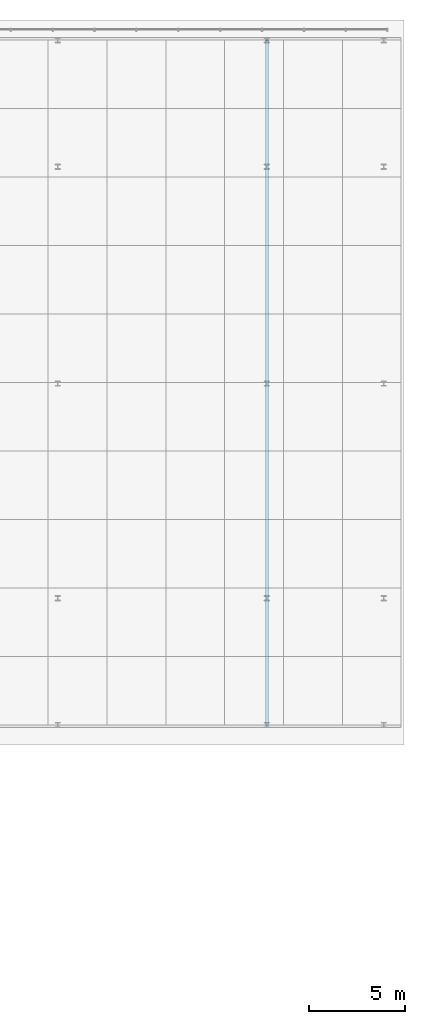
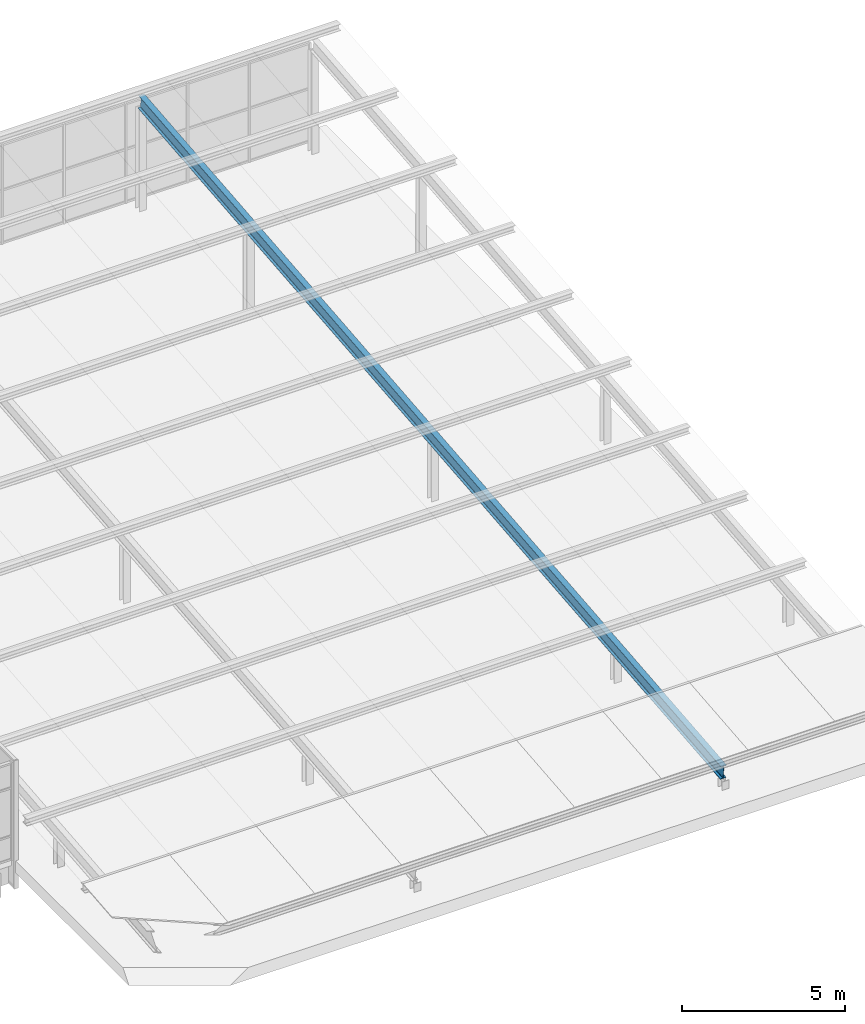
# One storey, part 21 of 44: 1 member.
"""IFC4 building model written with IfcOpenShell, lengths in metres."""

from ifc_helpers import new_model, si_unit, direction, frame, origin, origin_2d, place, context, subcontext, project, spatial, i_section, extrude, material, material_profile, profile_set, type_object, element, save


model = new_model("IFC4")

# Units and contexts
model_context = context("Model", 3, precision=1e-05, world=origin(), true_north=direction((0.0, 1.0)))
body_context = subcontext(model_context, "Body", "Model", "MODEL_VIEW")
ifc_project = project(units=[si_unit("LENGTHUNIT", "METRE"), si_unit("AREAUNIT", "SQUARE_METRE"), si_unit("VOLUMEUNIT", "CUBIC_METRE"), si_unit("PLANEANGLEUNIT", "RADIAN"), si_unit("MASSUNIT", "GRAM", prefix="KILO")], contexts=[model_context])

# Site, building, storey
site_placement = place(None, origin())
site = spatial("IfcSite", under=ifc_project, at=site_placement, CompositionType="ELEMENT")
building_placement = place(site_placement, origin())
building = spatial("IfcBuilding", under=site, at=building_placement, Name="Basin Gate Institute", CompositionType="ELEMENT")
storey_placement = place(building_placement, frame((0.0, 0.0, 27.0)))
storey = spatial("IfcBuildingStorey", under=building, at=storey_placement, Name="L05", CompositionType="ELEMENT", Elevation=27.0)

# Member
ifc_material = material(Name="Structural steel SN490", Category="steel")
ifc_material_profile = material_profile(ifc_material, i_section(OverallWidth=0.199951171875, OverallDepth=0.5, WebThickness=0.010009765625, FlangeThickness=0.01611328125, FilletRadius=0.02001953125, at=origin_2d()), Name="H500x200")
ifc_profile_set = profile_set([ifc_material_profile], Name="Structural steel SN490")
member_type = type_object("IfcMemberType", Name="Umbrella rafter SB1 R120", PredefinedType="RAFTER", material=ifc_profile_set)
member_placement = place(storey_placement, frame((144.39990234375, 70.699951171875, 0.566650390625), z_axis=(0.0, 0.995324527335, 0.096587190073), x_axis=(-1.0, 0.0, 0.0)))
element("IfcMember", 1, at=member_placement, inside=storey, type_object=member_type, material=ifc_profile_set, Name="Umbrella roof rafter 3", PredefinedType="RAFTER", context=body_context, shape_type="SweptSolid", body=[
    extrude(i_section(OverallWidth=0.199951171875, OverallDepth=0.5, WebThickness=0.010009765625, FlangeThickness=0.01611328125, FilletRadius=0.02001953125, at=origin_2d()), origin(), (0.0, 0.0, 1.0), 35.86767578125),
])

save(model, "model.ifc")
